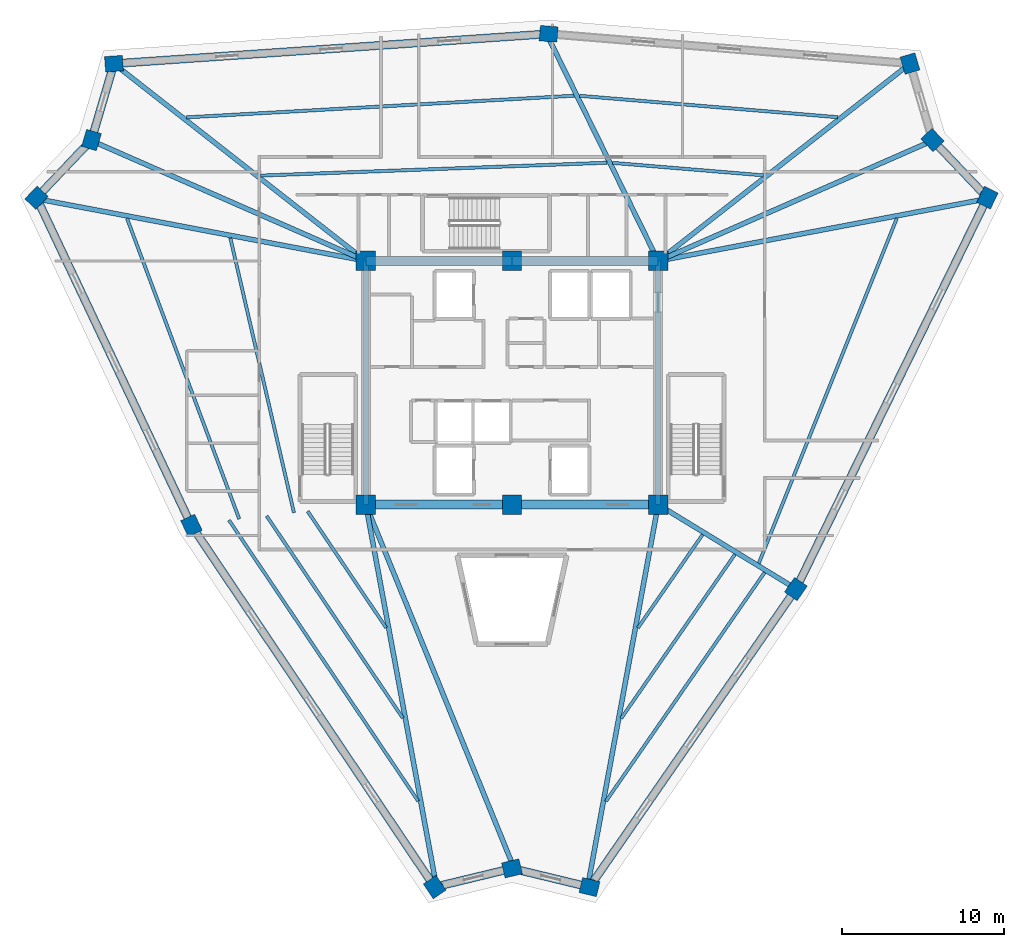
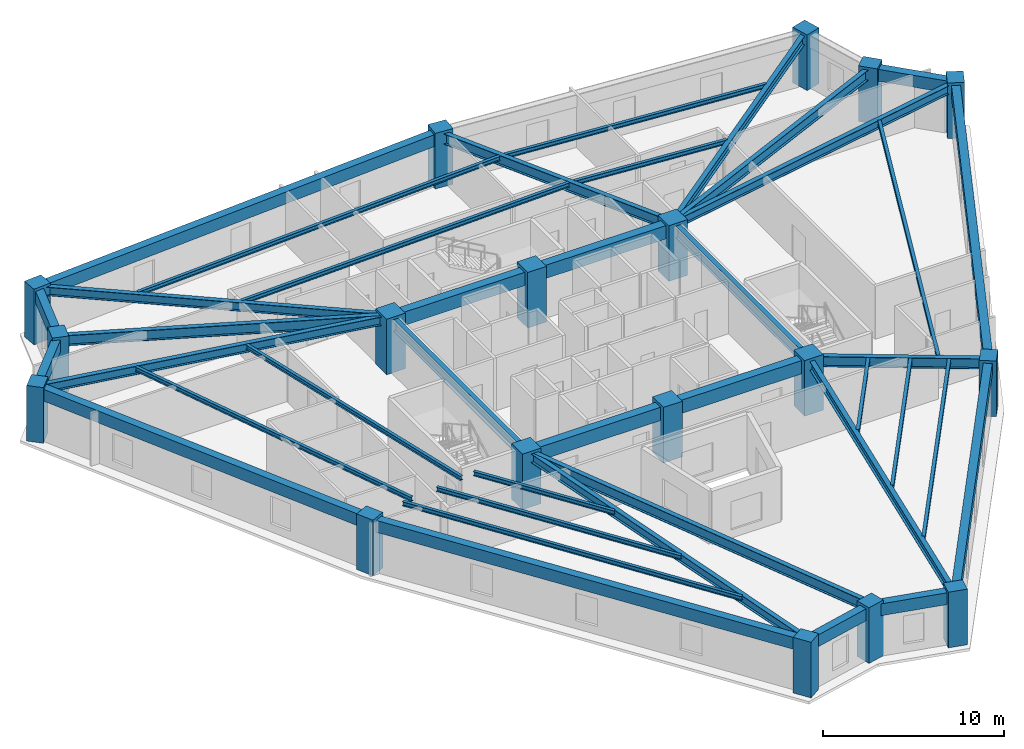
# One storey, part 1 of 8: 40 beams, 18 columns.
"""IFC4 building model written with IfcOpenShell, lengths in metres."""

from ifc_helpers import new_model, si_unit, direction, frame, origin, origin_2d, place, context, subcontext, project, spatial, rectangle, i_section, extrude, source, transform, mapped, material, material_profile, profile_set, type_object, element, save


model = new_model("IFC4")

# Units and contexts
model_context = context("Model", 3, precision=1e-05, world=origin(), true_north=direction((0.0, 1.0)))
body_context = subcontext(model_context, "Body", "Model", "MODEL_VIEW")
ifc_project = project(units=[si_unit("LENGTHUNIT", "METRE"), si_unit("AREAUNIT", "SQUARE_METRE"), si_unit("VOLUMEUNIT", "CUBIC_METRE"), si_unit("PLANEANGLEUNIT", "RADIAN"), si_unit("MASSUNIT", "GRAM", prefix="KILO")], contexts=[model_context])

# Site, building, storey
site_placement = place(None, origin())
site = spatial("IfcSite", under=ifc_project, at=site_placement, CompositionType="ELEMENT")
building_placement = place(site_placement, origin())
building = spatial("IfcBuilding", under=site, at=building_placement, Name="Liaohun Quay Tower", CompositionType="ELEMENT")
storey_placement = place(building_placement, frame((0.0, 0.0, 336.0)))
storey = spatial("IfcBuildingStorey", under=building, at=storey_placement, Name="L87", CompositionType="ELEMENT", Elevation=336.0)

# Columns
ifc_material_1 = material(Name="Concrete C50", Category="concrete")
ifc_material_profile_1 = material_profile(ifc_material_1, rectangle(XDim=1.199951171875, YDim=1.199951171875, at=origin_2d()), Name="RC1200x1200")
ifc_profile_set_1 = profile_set([ifc_material_profile_1], Name="Concrete C50")
column_type_1 = type_object("IfcColumnType", Name="COL-CC-Z4", PredefinedType="COLUMN", material=ifc_profile_set_1)
shared_shape_1 = source(origin(), body_context, "Body", "SweptSolid", [
    extrude(rectangle(XDim=1.199951171875, YDim=1.199951171875, at=origin_2d()), origin(), (0.0, 0.0, 1.0), 3.75),
])
for number, where, z_axis, x_axis, name in (
    (1, (51.0, 46.5, 0.0), (0.0, 0.0, 1.0), (1.0, 0.0, 0.0), "L87 Core Column CC1"),
    (2, (60.0, 46.5, 0.0), (0.0, 0.0, 1.0), (1.0, 0.0, 0.0), "L87 Core Column CC2"),
    (3, (69.0, 46.5, 0.0), (0.0, 0.0, 1.0), (1.0, 0.0, 0.0), "L87 Core Column CC3"),
    (4, (69.0, 61.5, 0.0), (0.0, 0.0, 1.0), (1.0, 0.0, 0.0), "L87 Core Column CC4"),
    (5, (60.0, 61.5, 0.0), (0.0, 0.0, 1.0), (1.0, 0.0, 0.0), "L87 Core Column CC5"),
    (6, (51.0, 61.5, 0.0), (0.0, 0.0, 1.0), (1.0, 0.0, 0.0), "L87 Core Column CC6"),
):
    element("IfcColumn", number, at=place(storey_placement, frame(where, z_axis=z_axis, x_axis=x_axis)), inside=storey, type_object=column_type_1, Name=name, PredefinedType="COLUMN", context=body_context, shape_type="MappedRepresentation", body=[
        mapped(shared_shape_1, transform((0.0, 0.0, 0.0), x_axis=(1.0, 0.0, 0.0), y_axis=(0.0, 1.0, 0.0), z_axis=(0.0, 0.0, 1.0), scale=1.0)),
    ])
ifc_material_profile_2 = material_profile(ifc_material_1, rectangle(XDim=1.10009765625, YDim=0.949951171875, at=origin_2d()), Name="RC1100x950")
ifc_profile_set_2 = profile_set([ifc_material_profile_2], Name="Concrete C50")
column_type_2 = type_object("IfcColumnType", Name="COL-PIER-Z4", PredefinedType="COLUMN", material=ifc_profile_set_2)
shared_shape_2 = source(origin(), body_context, "Body", "SweptSolid", [
    extrude(rectangle(XDim=1.10009765625, YDim=0.949951171875, at=origin_2d()), origin(), (0.0, 0.0, 1.0), 3.75),
])
for number, where, z_axis, x_axis, name in (
    (7, (55.238037109375, 22.9541015625, 0.0), (0.0, 0.0, 1.0), (-0.558179625922, 0.829720136676, 0.0), "L87 Perimeter Pier PC01"),
    (8, (40.264892578125, 45.212890625, 0.0), (0.0, 0.0, 1.0), (-0.427357863387, 0.904082549661, 0.0), "L87 Perimeter Pier PC02"),
    (9, (30.72705078125, 65.39306640625, 0.0), (0.0, 0.0, 1.0), (0.68936671806, 0.724412539946, 0.0), "L87 Perimeter Pier PC03"),
    (10, (34.10888671875, 68.947998046875, 0.0), (0.0, 0.0, 1.0), (0.282676303383, 0.959215360337, 0.0), "L87 Perimeter Pier PC04"),
    (11, (35.493896484375, 73.64697265625, 0.0), (0.0, 0.0, 1.0), (0.997648529354, 0.068537667585, 0.0), "L87 Perimeter Pier PC05"),
    (12, (62.258056640625, 75.485107421875, 0.0), (0.0, 0.0, 1.0), (-0.996637386818, 0.08193850863, 0.0), "L87 Perimeter Pier PC06"),
    (13, (84.5029296875, 73.655029296875, 0.0), (0.0, 0.0, 1.0), (-0.282676303383, 0.959215360337, 0.0), "L87 Perimeter Pier PC07"),
    (14, (85.89111328125, 68.947998046875, 0.0), (0.0, 0.0, 1.0), (-0.68936671806, 0.724412539946, 0.0), "L87 Perimeter Pier PC08"),
    (15, (89.26806640625, 65.39892578125, 0.0), (0.0, 0.0, 1.0), (0.439468903432, 0.898257804261, 0.0), "L87 Perimeter Pier PC09"),
    (16, (77.47705078125, 41.302001953125, 0.0), (0.0, 0.0, 1.0), (0.569279523431, 0.822144041031, 0.0), "L87 Perimeter Pier PC10"),
    (17, (64.77001953125, 22.951904296875, 0.0), (0.0, 0.0, 1.0), (-0.972043021443, 0.234802820391, 0.0), "L87 Perimeter Pier PC11"),
    (18, (60.0, 24.10400390625, 0.0), (0.0, 0.0, 1.0), (0.972043021443, 0.234802820391, 0.0), "L87 Perimeter Pier PC12"),
):
    element("IfcColumn", number, at=place(storey_placement, frame(where, z_axis=z_axis, x_axis=x_axis)), inside=storey, type_object=column_type_2, Name=name, PredefinedType="COLUMN", context=body_context, shape_type="MappedRepresentation", body=[
        mapped(shared_shape_2, transform((0.0, 0.0, 0.0), x_axis=(1.0, 0.0, 0.0), y_axis=(0.0, 1.0, 0.0), z_axis=(0.0, 0.0, 1.0), scale=1.0)),
    ])

# Beams
ifc_material_2 = material(Name="Steel Q355D", Category="steel")
ifc_material_profile_3 = material_profile(ifc_material_2, i_section(OverallWidth=0.300048828125, OverallDepth=0.800048828125, WebThickness=0.013916015625, FlangeThickness=0.02587890625, at=origin_2d()), Name="HN800x300x14x26")
ifc_profile_set_3 = profile_set([ifc_material_profile_3], Name="Steel Q355D")
beam_type_1 = type_object("IfcBeamType", Name="BM-RAD-M1", PredefinedType="BEAM", material=ifc_profile_set_3)
shared_shape_3 = source(origin(), body_context, "Body", "SweptSolid", [
    extrude(i_section(OverallWidth=0.300048828125, OverallDepth=0.800048828125, WebThickness=0.013916015625, FlangeThickness=0.02587890625, at=origin_2d()), origin(), (0.0, 0.0, 1.0), 15.0),
])
for number, where, z_axis, x_axis, name in (
    (19, (69.0, 46.5, 3.169921875), (0.0, 1.0, 0.0), (-1.0, 0.0, 0.0), "L87 Core Coupling/Ring Beam CC3-CC4"),
    (20, (51.0, 61.5, 3.169921875), (0.0, -1.0, 0.0), (1.0, 0.0, 0.0), "L87 Core Coupling/Ring Beam CC6-CC1"),
):
    element("IfcBeam", number, at=place(storey_placement, frame(where, z_axis=z_axis, x_axis=x_axis)), inside=storey, type_object=beam_type_1, Name=name, PredefinedType="BEAM", context=body_context, shape_type="MappedRepresentation", body=[
        mapped(shared_shape_3, transform((0.0, 0.0, 0.0), x_axis=(1.0, 0.0, 0.0), y_axis=(0.0, 1.0, 0.0), z_axis=(0.0, 0.0, 1.0), scale=1.0)),
    ])
ifc_material_3 = material(Name="Concrete C55", Category="concrete")
ifc_material_profile_4 = material_profile(ifc_material_3, rectangle(XDim=0.550048828125, YDim=0.89990234375, at=origin_2d()), Name="RC550x900")
ifc_profile_set_4 = profile_set([ifc_material_profile_4], Name="Concrete C55")
beam_type_2 = type_object("IfcBeamType", Name="BM-CPL-2", PredefinedType="LINTEL", material=ifc_profile_set_4)
shared_shape_4 = source(origin(), body_context, "Body", "SweptSolid", [
    extrude(rectangle(XDim=0.550048828125, YDim=0.89990234375, at=origin_2d()), origin(), (0.0, 0.0, 1.0), 9.0),
])
for number, where, z_axis, x_axis, name in (
    (21, (51.0, 46.5, 3.1201171875), (1.0, 0.0, 0.0), (0.0, 1.0, 0.0), "L87 Core Coupling/Ring Beam CC1-CC2"),
    (22, (60.0, 46.5, 3.1201171875), (1.0, 0.0, 0.0), (0.0, 1.0, 0.0), "L87 Core Coupling/Ring Beam CC2-CC3"),
    (23, (69.0, 61.5, 3.1201171875), (-1.0, 0.0, 0.0), (0.0, -1.0, 0.0), "L87 Core Coupling/Ring Beam CC4-CC5"),
    (24, (60.0, 61.5, 3.1201171875), (-1.0, 0.0, 0.0), (0.0, -1.0, 0.0), "L87 Core Coupling/Ring Beam CC5-CC6"),
):
    element("IfcBeam", number, at=place(storey_placement, frame(where, z_axis=z_axis, x_axis=x_axis)), inside=storey, type_object=beam_type_2, Name=name, PredefinedType="LINTEL", context=body_context, shape_type="MappedRepresentation", body=[
        mapped(shared_shape_4, transform((0.0, 0.0, 0.0), x_axis=(1.0, 0.0, 0.0), y_axis=(0.0, 1.0, 0.0), z_axis=(0.0, 0.0, 1.0), scale=1.0)),
    ])
ifc_material_4 = material(Name="Precast concrete C50", Category="concrete")
ifc_material_profile_5 = material_profile(ifc_material_4, rectangle(XDim=0.5, YDim=0.800048828125, at=origin_2d()), Name="RC500x800")
ifc_profile_set_5 = profile_set([ifc_material_profile_5], Name="Precast concrete C50")
beam_type_3 = type_object("IfcBeamType", Name="BM-SPD-Z4", PredefinedType="SPANDREL", material=ifc_profile_set_5)
shared_shape_5 = source(origin(), body_context, "Body", "SweptSolid", [
    extrude(rectangle(XDim=0.5, YDim=0.800048828125, at=origin_2d()), origin(), (0.0, 0.0, 1.0), 26.826171875),
])
beam_1_placement = place(storey_placement, frame((55.238037109375, 22.9541015625, 3.169921875), z_axis=(-0.558152314182, 0.829738509516, 0.0), x_axis=(-0.829738509516, -0.558152314182, 0.0)))
element("IfcBeam", 25, at=beam_1_placement, inside=storey, type_object=beam_type_3, Name="L87 Precast Spandrel Beam PC01-PC02", PredefinedType="SPANDREL", context=body_context, shape_type="MappedRepresentation", body=[
    mapped(shared_shape_5, transform((0.0, 0.0, 0.0), x_axis=(1.0, 0.0, 0.0), y_axis=(0.0, 1.0, 0.0), z_axis=(0.0, 0.0, 1.0), scale=1.0)),
])
shared_shape_6 = source(origin(), body_context, "Body", "SweptSolid", [
    extrude(rectangle(XDim=0.5, YDim=0.800048828125, at=origin_2d()), origin(), (0.0, 0.0, 1.0), 22.320556640625),
])
beam_2_placement = place(storey_placement, frame((40.264892578125, 45.212890625, 3.169921875), z_axis=(-0.427310858512, 0.904104767269, 0.0), x_axis=(-0.904104767269, -0.427310858512, 0.0)))
element("IfcBeam", 26, at=beam_2_placement, inside=storey, type_object=beam_type_3, Name="L87 Precast Spandrel Beam PC02-PC03", PredefinedType="SPANDREL", context=body_context, shape_type="MappedRepresentation", body=[
    mapped(shared_shape_6, transform((0.0, 0.0, 0.0), x_axis=(1.0, 0.0, 0.0), y_axis=(0.0, 1.0, 0.0), z_axis=(0.0, 0.0, 1.0), scale=1.0)),
])
shared_shape_7 = source(origin(), body_context, "Body", "SweptSolid", [
    extrude(rectangle(XDim=0.5, YDim=0.800048828125, at=origin_2d()), origin(), (0.0, 0.0, 1.0), 4.906494140625),
])
beam_3_placement = place(storey_placement, frame((30.72705078125, 65.39306640625, 3.169921875), z_axis=(0.689247532922, 0.724525940433, 0.0), x_axis=(-0.724525940433, 0.689247532922, 0.0)))
element("IfcBeam", 27, at=beam_3_placement, inside=storey, type_object=beam_type_3, Name="L87 Precast Spandrel Beam PC03-PC04", PredefinedType="SPANDREL", context=body_context, shape_type="MappedRepresentation", body=[
    mapped(shared_shape_7, transform((0.0, 0.0, 0.0), x_axis=(1.0, 0.0, 0.0), y_axis=(0.0, 1.0, 0.0), z_axis=(0.0, 0.0, 1.0), scale=1.0)),
])
shared_shape_8 = source(origin(), body_context, "Body", "SweptSolid", [
    extrude(rectangle(XDim=0.5, YDim=0.800048828125, at=origin_2d()), origin(), (0.0, 0.0, 1.0), 4.89892578125),
])
for number, where, z_axis, x_axis, name in (
    (28, (34.10888671875, 68.947998046875, 3.169921875), (0.282722095729, 0.959201864357, 0.0), (-0.959201864357, 0.282722095729, 0.0), "L87 Precast Spandrel Beam PC04-PC05"),
    (29, (85.89111328125, 68.947998046875, 3.169921875), (0.689321599918, -0.724455472673, 0.0), (0.724455472673, 0.689321599918, 0.0), "L87 Precast Spandrel Beam PC08-PC09"),
    (30, (60.0, 24.10400390625, 3.169921875), (-0.972060645991, -0.234729845815, 0.0), (0.234729845815, -0.972060645991, 0.0), "L87 Precast Spandrel Beam PC12-PC01"),
):
    element("IfcBeam", number, at=place(storey_placement, frame(where, z_axis=z_axis, x_axis=x_axis)), inside=storey, type_object=beam_type_3, Name=name, PredefinedType="SPANDREL", context=body_context, shape_type="MappedRepresentation", body=[
        mapped(shared_shape_8, transform((0.0, 0.0, 0.0), x_axis=(1.0, 0.0, 0.0), y_axis=(0.0, 1.0, 0.0), z_axis=(0.0, 0.0, 1.0), scale=1.0)),
    ])
shared_shape_9 = source(origin(), body_context, "Body", "SweptSolid", [
    extrude(rectangle(XDim=0.5, YDim=0.800048828125, at=origin_2d()), origin(), (0.0, 0.0, 1.0), 26.8271484375),
])
for number, where, z_axis, x_axis, name in (
    (31, (35.493896484375, 73.64697265625, 3.169921875), (0.997649910436, 0.068517561305, 0.0), (-0.068517561305, 0.997649910436, 0.0), "L87 Precast Spandrel Beam PC05-PC06"),
    (32, (89.26806640625, 65.39892578125, 3.169921875), (-0.439519901632, -0.898232851809, 0.0), (0.898232851809, -0.439519901632, 0.0), "L87 Precast Spandrel Beam PC09-PC10"),
):
    element("IfcBeam", number, at=place(storey_placement, frame(where, z_axis=z_axis, x_axis=x_axis)), inside=storey, type_object=beam_type_3, Name=name, PredefinedType="SPANDREL", context=body_context, shape_type="MappedRepresentation", body=[
        mapped(shared_shape_9, transform((0.0, 0.0, 0.0), x_axis=(1.0, 0.0, 0.0), y_axis=(0.0, 1.0, 0.0), z_axis=(0.0, 0.0, 1.0), scale=1.0)),
    ])
shared_shape_10 = source(origin(), body_context, "Body", "SweptSolid", [
    extrude(rectangle(XDim=0.5, YDim=0.800048828125, at=origin_2d()), origin(), (0.0, 0.0, 1.0), 22.3203125),
])
beam_4_placement = place(storey_placement, frame((77.47705078125, 41.302001953125, 3.169921875), z_axis=(-0.569304392452, -0.822126820348, 0.0), x_axis=(0.822126820348, -0.569304392452, 0.0)))
element("IfcBeam", 33, at=beam_4_placement, inside=storey, type_object=beam_type_3, Name="L87 Precast Spandrel Beam PC10-PC11", PredefinedType="SPANDREL", context=body_context, shape_type="MappedRepresentation", body=[
    mapped(shared_shape_10, transform((0.0, 0.0, 0.0), x_axis=(1.0, 0.0, 0.0), y_axis=(0.0, 1.0, 0.0), z_axis=(0.0, 0.0, 1.0), scale=1.0)),
])
shared_shape_11 = source(origin(), body_context, "Body", "SweptSolid", [
    extrude(rectangle(XDim=0.5, YDim=0.800048828125, at=origin_2d()), origin(), (0.0, 0.0, 1.0), 4.9072265625),
])
beam_5_placement = place(storey_placement, frame((64.77001953125, 22.951904296875, 3.169921875), z_axis=(-0.972048937831, 0.234778326217, 0.0), x_axis=(-0.234778326217, -0.972048937831, 0.0)))
element("IfcBeam", 34, at=beam_5_placement, inside=storey, type_object=beam_type_3, Name="L87 Precast Spandrel Beam PC11-PC12", PredefinedType="SPANDREL", context=body_context, shape_type="MappedRepresentation", body=[
    mapped(shared_shape_11, transform((0.0, 0.0, 0.0), x_axis=(1.0, 0.0, 0.0), y_axis=(0.0, 1.0, 0.0), z_axis=(0.0, 0.0, 1.0), scale=1.0)),
])
ifc_material_profile_6 = material_profile(ifc_material_2, i_section(OverallWidth=0.300048828125, OverallDepth=0.587890625, WebThickness=0.011962890625, FlangeThickness=0.02001953125, at=origin_2d()), Name="HM588x300x12x20")
ifc_profile_set_6 = profile_set([ifc_material_profile_6], Name="Steel Q355D")
beam_type_4 = type_object("IfcBeamType", Name="BM-RAD-U2", PredefinedType="BEAM", material=ifc_profile_set_6)
shared_shape_12 = source(origin(), body_context, "Body", "SweptSolid", [
    extrude(i_section(OverallWidth=0.300048828125, OverallDepth=0.587890625, WebThickness=0.011962890625, FlangeThickness=0.02001953125, at=origin_2d()), origin(), (0.0, 0.0, 1.0), 23.599853515625),
])
beam_6_placement = place(storey_placement, frame((51.0, 46.5, 3.27587890625), z_axis=(0.181906997941, -0.98331573978, 0.0), x_axis=(0.98331573978, 0.181906997941, 0.0)))
element("IfcBeam", 35, at=beam_6_placement, inside=storey, type_object=beam_type_4, Name="L87 Radial Primary Girder CC1-PC01", PredefinedType="BEAM", context=body_context, shape_type="MappedRepresentation", body=[
    mapped(shared_shape_12, transform((0.0, 0.0, 0.0), x_axis=(1.0, 0.0, 0.0), y_axis=(0.0, 1.0, 0.0), z_axis=(0.0, 0.0, 1.0), scale=1.0)),
])
shared_shape_13 = source(origin(), body_context, "Body", "SweptSolid", [
    extrude(i_section(OverallWidth=0.300048828125, OverallDepth=0.587890625, WebThickness=0.011962890625, FlangeThickness=0.02001953125, at=origin_2d()), origin(), (0.0, 0.0, 1.0), 20.304931640625),
])
beam_7_placement = place(storey_placement, frame((51.0, 61.5, 3.27587890625), z_axis=(-0.982612184872, 0.185669852536, 0.0), x_axis=(-0.185669852536, -0.982612184872, 0.0)))
element("IfcBeam", 36, at=beam_7_placement, inside=storey, type_object=beam_type_4, Name="L87 Radial Primary Girder CC6-PC03", PredefinedType="BEAM", context=body_context, shape_type="MappedRepresentation", body=[
    mapped(shared_shape_13, transform((0.0, 0.0, 0.0), x_axis=(1.0, 0.0, 0.0), y_axis=(0.0, 1.0, 0.0), z_axis=(0.0, 0.0, 1.0), scale=1.0)),
])
ifc_material_profile_7 = material_profile(ifc_material_2, i_section(OverallWidth=0.300048828125, OverallDepth=0.699951171875, WebThickness=0.012939453125, FlangeThickness=0.02392578125, at=origin_2d()), Name="HN700x300x13x24")
ifc_profile_set_7 = profile_set([ifc_material_profile_7], Name="Steel Q355D")
beam_type_5 = type_object("IfcBeamType", Name="BM-RAD-U1", PredefinedType="BEAM", material=ifc_profile_set_7)
shared_shape_14 = source(origin(), body_context, "Body", "SweptSolid", [
    extrude(i_section(OverallWidth=0.300048828125, OverallDepth=0.699951171875, WebThickness=0.012939453125, FlangeThickness=0.02392578125, at=origin_2d()), origin(), (0.0, 0.0, 1.0), 18.134033203125),
])
for number, where, z_axis, x_axis, name in (
    (37, (51.0, 61.5, 3.219970703125), (-0.915784299111, 0.401670409044, 0.0), (-0.401670409044, -0.915784299111, 0.0), "L87 Radial Primary Girder CC6-PC04"),
    (38, (69.0, 61.5, 3.219970703125), (0.915784299111, 0.401670409044, 0.0), (-0.401670409044, 0.915784299111, 0.0), "L87 Radial Primary Girder CC4-PC08"),
):
    element("IfcBeam", number, at=place(storey_placement, frame(where, z_axis=z_axis, x_axis=x_axis)), inside=storey, type_object=beam_type_5, Name=name, PredefinedType="BEAM", context=body_context, shape_type="MappedRepresentation", body=[
        mapped(shared_shape_14, transform((0.0, 0.0, 0.0), x_axis=(1.0, 0.0, 0.0), y_axis=(0.0, 1.0, 0.0), z_axis=(0.0, 0.0, 1.0), scale=1.0)),
    ])
shared_shape_15 = source(origin(), body_context, "Body", "SweptSolid", [
    extrude(i_section(OverallWidth=0.300048828125, OverallDepth=0.587890625, WebThickness=0.011962890625, FlangeThickness=0.02001953125, at=origin_2d()), origin(), (0.0, 0.0, 1.0), 19.3525390625),
])
beam_8_placement = place(storey_placement, frame((51.0, 61.5, 3.27587890625), z_axis=(-0.787391848215, 0.616452818442, 0.0), x_axis=(-0.616452818442, -0.787391848215, 0.0)))
element("IfcBeam", 39, at=beam_8_placement, inside=storey, type_object=beam_type_4, Name="L87 Radial Primary Girder CC6-PC05", PredefinedType="BEAM", context=body_context, shape_type="MappedRepresentation", body=[
    mapped(shared_shape_15, transform((0.0, 0.0, 0.0), x_axis=(1.0, 0.0, 0.0), y_axis=(0.0, 1.0, 0.0), z_axis=(0.0, 0.0, 1.0), scale=1.0)),
])
shared_shape_16 = source(origin(), body_context, "Body", "SweptSolid", [
    extrude(i_section(OverallWidth=0.300048828125, OverallDepth=0.699951171875, WebThickness=0.012939453125, FlangeThickness=0.02392578125, at=origin_2d()), origin(), (0.0, 0.0, 1.0), 15.336181640625),
])
beam_9_placement = place(storey_placement, frame((69.0, 61.5, 3.219970703125), z_axis=(-0.441185999181, 0.897415686361, 0.0), x_axis=(-0.897415686361, -0.441185999181, 0.0)))
element("IfcBeam", 40, at=beam_9_placement, inside=storey, type_object=beam_type_5, Name="L87 Radial Primary Girder CC4-PC06", PredefinedType="BEAM", context=body_context, shape_type="MappedRepresentation", body=[
    mapped(shared_shape_16, transform((0.0, 0.0, 0.0), x_axis=(1.0, 0.0, 0.0), y_axis=(0.0, 1.0, 0.0), z_axis=(0.0, 0.0, 1.0), scale=1.0)),
])
shared_shape_17 = source(origin(), body_context, "Body", "SweptSolid", [
    extrude(i_section(OverallWidth=0.300048828125, OverallDepth=0.587890625, WebThickness=0.011962890625, FlangeThickness=0.02001953125, at=origin_2d()), origin(), (0.0, 0.0, 1.0), 19.355224609375),
])
beam_10_placement = place(storey_placement, frame((69.0, 61.5, 3.27587890625), z_axis=(0.787132213405, 0.616784304778, 0.0), x_axis=(-0.616784304778, 0.787132213405, 0.0)))
element("IfcBeam", 41, at=beam_10_placement, inside=storey, type_object=beam_type_4, Name="L87 Radial Primary Girder CC4-PC07", PredefinedType="BEAM", context=body_context, shape_type="MappedRepresentation", body=[
    mapped(shared_shape_17, transform((0.0, 0.0, 0.0), x_axis=(1.0, 0.0, 0.0), y_axis=(0.0, 1.0, 0.0), z_axis=(0.0, 0.0, 1.0), scale=1.0)),
])
shared_shape_18 = source(origin(), body_context, "Body", "SweptSolid", [
    extrude(i_section(OverallWidth=0.300048828125, OverallDepth=0.587890625, WebThickness=0.011962890625, FlangeThickness=0.02001953125, at=origin_2d()), origin(), (0.0, 0.0, 1.0), 20.30029296875),
])
beam_11_placement = place(storey_placement, frame((69.0, 61.5, 3.27587890625), z_axis=(0.982549519823, 0.186001185738, 0.0), x_axis=(-0.186001185738, 0.982549519823, 0.0)))
element("IfcBeam", 42, at=beam_11_placement, inside=storey, type_object=beam_type_4, Name="L87 Radial Primary Girder CC4-PC09", PredefinedType="BEAM", context=body_context, shape_type="MappedRepresentation", body=[
    mapped(shared_shape_18, transform((0.0, 0.0, 0.0), x_axis=(1.0, 0.0, 0.0), y_axis=(0.0, 1.0, 0.0), z_axis=(0.0, 0.0, 1.0), scale=1.0)),
])
shared_shape_19 = source(origin(), body_context, "Body", "SweptSolid", [
    extrude(i_section(OverallWidth=0.300048828125, OverallDepth=0.699951171875, WebThickness=0.012939453125, FlangeThickness=0.02392578125, at=origin_2d()), origin(), (0.0, 0.0, 1.0), 9.721435546875),
])
beam_12_placement = place(storey_placement, frame((69.0, 46.5, 3.219970703125), z_axis=(0.853489729957, -0.521109662987, 0.0), x_axis=(0.521109662987, 0.853489729957, 0.0)))
element("IfcBeam", 43, at=beam_12_placement, inside=storey, type_object=beam_type_5, Name="L87 Radial Primary Girder CC3-PC10", PredefinedType="BEAM", context=body_context, shape_type="MappedRepresentation", body=[
    mapped(shared_shape_19, transform((0.0, 0.0, 0.0), x_axis=(1.0, 0.0, 0.0), y_axis=(0.0, 1.0, 0.0), z_axis=(0.0, 0.0, 1.0), scale=1.0)),
])
shared_shape_20 = source(origin(), body_context, "Body", "SweptSolid", [
    extrude(i_section(OverallWidth=0.300048828125, OverallDepth=0.587890625, WebThickness=0.011962890625, FlangeThickness=0.02001953125, at=origin_2d()), origin(), (0.0, 0.0, 1.0), 23.600341796875),
])
beam_13_placement = place(storey_placement, frame((69.0, 46.5, 3.27587890625), z_axis=(-0.181562100476, -0.98337948101, 0.0), x_axis=(0.98337948101, -0.181562100476, 0.0)))
element("IfcBeam", 44, at=beam_13_placement, inside=storey, type_object=beam_type_4, Name="L87 Radial Primary Girder CC3-PC11", PredefinedType="BEAM", context=body_context, shape_type="MappedRepresentation", body=[
    mapped(shared_shape_20, transform((0.0, 0.0, 0.0), x_axis=(1.0, 0.0, 0.0), y_axis=(0.0, 1.0, 0.0), z_axis=(0.0, 0.0, 1.0), scale=1.0)),
])
shared_shape_21 = source(origin(), body_context, "Body", "SweptSolid", [
    extrude(i_section(OverallWidth=0.300048828125, OverallDepth=0.699951171875, WebThickness=0.012939453125, FlangeThickness=0.02392578125, at=origin_2d()), origin(), (0.0, 0.0, 1.0), 23.833740234375),
])
beam_14_placement = place(storey_placement, frame((51.0, 46.5, 3.219970703125), z_axis=(0.377616715366, -0.92596199505, 0.0), x_axis=(0.92596199505, 0.377616715366, 0.0)))
element("IfcBeam", 45, at=beam_14_placement, inside=storey, type_object=beam_type_5, Name="L87 Radial Primary Girder CC1-PC12", PredefinedType="BEAM", context=body_context, shape_type="MappedRepresentation", body=[
    mapped(shared_shape_21, transform((0.0, 0.0, 0.0), x_axis=(1.0, 0.0, 0.0), y_axis=(0.0, 1.0, 0.0), z_axis=(0.0, 0.0, 1.0), scale=1.0)),
])
ifc_material_profile_8 = material_profile(ifc_material_2, i_section(OverallWidth=0.199951171875, OverallDepth=0.2939453125, WebThickness=0.008056640625, FlangeThickness=0.011962890625, at=origin_2d()), Name="HM294x200x8x12")
ifc_profile_set_8 = profile_set([ifc_material_profile_8], Name="Steel Q355D")
beam_type_6 = type_object("IfcBeamType", Name="BM-SEC-J4", PredefinedType="JOIST", material=ifc_profile_set_8)
shared_shape_22 = source(origin(), body_context, "Body", "SweptSolid", [
    extrude(i_section(OverallWidth=0.199951171875, OverallDepth=0.2939453125, WebThickness=0.008056640625, FlangeThickness=0.011962890625, at=origin_2d()), origin(), (0.0, 0.0, 1.0), 8.64599609375),
])
beam_15_placement = place(storey_placement, frame((52.2490234375, 38.922119140625, 3.423095703125), z_axis=(-0.558655882826, 0.8293995446, 0.0), x_axis=(-0.8293995446, -0.558655882826, 0.0)))
element("IfcBeam", 46, at=beam_15_placement, inside=storey, type_object=beam_type_6, Name="L87 Wing Secondary Floor Joist SJ-01", PredefinedType="JOIST", context=body_context, shape_type="MappedRepresentation", body=[
    mapped(shared_shape_22, transform((0.0, 0.0, 0.0), x_axis=(1.0, 0.0, 0.0), y_axis=(0.0, 1.0, 0.0), z_axis=(0.0, 0.0, 1.0), scale=1.0)),
])
shared_shape_23 = source(origin(), body_context, "Body", "SweptSolid", [
    extrude(i_section(OverallWidth=0.199951171875, OverallDepth=0.2939453125, WebThickness=0.008056640625, FlangeThickness=0.011962890625, at=origin_2d()), origin(), (0.0, 0.0, 1.0), 15.014404296875),
])
beam_16_placement = place(storey_placement, frame((53.280029296875, 33.35302734375, 3.423095703125), z_axis=(-0.558660192246, 0.829396641903, 0.0), x_axis=(-0.829396641903, -0.558660192246, 0.0)))
element("IfcBeam", 47, at=beam_16_placement, inside=storey, type_object=beam_type_6, Name="L87 Wing Secondary Floor Joist SJ-02", PredefinedType="JOIST", context=body_context, shape_type="MappedRepresentation", body=[
    mapped(shared_shape_23, transform((0.0, 0.0, 0.0), x_axis=(1.0, 0.0, 0.0), y_axis=(0.0, 1.0, 0.0), z_axis=(0.0, 0.0, 1.0), scale=1.0)),
])
shared_shape_24 = source(origin(), body_context, "Body", "SweptSolid", [
    extrude(i_section(OverallWidth=0.199951171875, OverallDepth=0.2939453125, WebThickness=0.008056640625, FlangeThickness=0.011962890625, at=origin_2d()), origin(), (0.0, 0.0, 1.0), 20.852294921875),
])
beam_17_placement = place(storey_placement, frame((54.22412109375, 28.2470703125, 3.423095703125), z_axis=(-0.558652159072, 0.829402052785, 0.0), x_axis=(-0.829402052785, -0.558652159072, 0.0)))
element("IfcBeam", 48, at=beam_17_placement, inside=storey, type_object=beam_type_6, Name="L87 Wing Secondary Floor Joist SJ-03", PredefinedType="JOIST", context=body_context, shape_type="MappedRepresentation", body=[
    mapped(shared_shape_24, transform((0.0, 0.0, 0.0), x_axis=(1.0, 0.0, 0.0), y_axis=(0.0, 1.0, 0.0), z_axis=(0.0, 0.0, 1.0), scale=1.0)),
])
shared_shape_25 = source(origin(), body_context, "Body", "SweptSolid", [
    extrude(i_section(OverallWidth=0.199951171875, OverallDepth=0.2939453125, WebThickness=0.008056640625, FlangeThickness=0.011962890625, at=origin_2d()), origin(), (0.0, 0.0, 1.0), 17.375),
])
beam_18_placement = place(storey_placement, frame((46.576904296875, 45.9970703125, 3.423095703125), z_axis=(-0.225607553343, 0.974218267061, 0.0), x_axis=(-0.974218267061, -0.225607553343, 0.0)))
element("IfcBeam", 49, at=beam_18_placement, inside=storey, type_object=beam_type_6, Name="L87 Wing Secondary Floor Joist SJ-04", PredefinedType="JOIST", context=body_context, shape_type="MappedRepresentation", body=[
    mapped(shared_shape_25, transform((0.0, 0.0, 0.0), x_axis=(1.0, 0.0, 0.0), y_axis=(0.0, 1.0, 0.0), z_axis=(0.0, 0.0, 1.0), scale=1.0)),
])
shared_shape_26 = source(origin(), body_context, "Body", "SweptSolid", [
    extrude(i_section(OverallWidth=0.199951171875, OverallDepth=0.2939453125, WebThickness=0.008056640625, FlangeThickness=0.011962890625, at=origin_2d()), origin(), (0.0, 0.0, 1.0), 19.759521484375),
])
beam_19_placement = place(storey_placement, frame((43.20703125, 45.614013671875, 3.423095703125), z_axis=(-0.349699944184, 0.936861755564, 0.0), x_axis=(-0.936861755564, -0.349699944184, 0.0)))
element("IfcBeam", 50, at=beam_19_placement, inside=storey, type_object=beam_type_6, Name="L87 Wing Secondary Floor Joist SJ-05", PredefinedType="JOIST", context=body_context, shape_type="MappedRepresentation", body=[
    mapped(shared_shape_26, transform((0.0, 0.0, 0.0), x_axis=(1.0, 0.0, 0.0), y_axis=(0.0, 1.0, 0.0), z_axis=(0.0, 0.0, 1.0), scale=1.0)),
])
shared_shape_27 = source(origin(), body_context, "Body", "SweptSolid", [
    extrude(i_section(OverallWidth=0.199951171875, OverallDepth=0.2939453125, WebThickness=0.008056640625, FlangeThickness=0.011962890625, at=origin_2d()), origin(), (0.0, 0.0, 1.0), 21.345458984375),
])
beam_20_placement = place(storey_placement, frame((44.528076171875, 66.758056640625, 3.423095703125), z_axis=(0.999311429617, 0.037103458558, 0.0), x_axis=(-0.037103458558, 0.999311429617, 0.0)))
element("IfcBeam", 51, at=beam_20_placement, inside=storey, type_object=beam_type_6, Name="L87 Wing Secondary Floor Joist SJ-06", PredefinedType="JOIST", context=body_context, shape_type="MappedRepresentation", body=[
    mapped(shared_shape_27, transform((0.0, 0.0, 0.0), x_axis=(1.0, 0.0, 0.0), y_axis=(0.0, 1.0, 0.0), z_axis=(0.0, 0.0, 1.0), scale=1.0)),
])
shared_shape_28 = source(origin(), body_context, "Body", "SweptSolid", [
    extrude(i_section(OverallWidth=0.199951171875, OverallDepth=0.2939453125, WebThickness=0.008056640625, FlangeThickness=0.011962890625, at=origin_2d()), origin(), (0.0, 0.0, 1.0), 23.91650390625),
])
beam_21_placement = place(storey_placement, frame((39.950927734375, 70.341064453125, 3.423095703125), z_axis=(0.998440975857, 0.055817718778, 0.0), x_axis=(-0.055817718778, 0.998440975857, 0.0)))
element("IfcBeam", 52, at=beam_21_placement, inside=storey, type_object=beam_type_6, Name="L87 Wing Secondary Floor Joist SJ-07", PredefinedType="JOIST", context=body_context, shape_type="MappedRepresentation", body=[
    mapped(shared_shape_28, transform((0.0, 0.0, 0.0), x_axis=(1.0, 0.0, 0.0), y_axis=(0.0, 1.0, 0.0), z_axis=(0.0, 0.0, 1.0), scale=1.0)),
])
shared_shape_29 = source(origin(), body_context, "Body", "SweptSolid", [
    extrude(i_section(OverallWidth=0.199951171875, OverallDepth=0.2939453125, WebThickness=0.008056640625, FlangeThickness=0.011962890625, at=origin_2d()), origin(), (0.0, 0.0, 1.0), 9.31787109375),
])
beam_22_placement = place(storey_placement, frame((66.197021484375, 67.541015625, 3.423095703125), z_axis=(0.996579466831, -0.082639979976, 0.0), x_axis=(0.082639979976, 0.996579466831, 0.0)))
element("IfcBeam", 53, at=beam_22_placement, inside=storey, type_object=beam_type_6, Name="L87 Wing Secondary Floor Joist SJ-08", PredefinedType="JOIST", context=body_context, shape_type="MappedRepresentation", body=[
    mapped(shared_shape_29, transform((0.0, 0.0, 0.0), x_axis=(1.0, 0.0, 0.0), y_axis=(0.0, 1.0, 0.0), z_axis=(0.0, 0.0, 1.0), scale=1.0)),
])
shared_shape_30 = source(origin(), body_context, "Body", "SweptSolid", [
    extrude(i_section(OverallWidth=0.199951171875, OverallDepth=0.2939453125, WebThickness=0.008056640625, FlangeThickness=0.011962890625, at=origin_2d()), origin(), (0.0, 0.0, 1.0), 15.941650390625),
])
beam_23_placement = place(storey_placement, frame((64.1669921875, 71.669921875, 3.423095703125), z_axis=(0.996577055994, -0.082669047812, 0.0), x_axis=(0.082669047812, 0.996577055994, 0.0)))
element("IfcBeam", 54, at=beam_23_placement, inside=storey, type_object=beam_type_6, Name="L87 Wing Secondary Floor Joist SJ-09", PredefinedType="JOIST", context=body_context, shape_type="MappedRepresentation", body=[
    mapped(shared_shape_30, transform((0.0, 0.0, 0.0), x_axis=(1.0, 0.0, 0.0), y_axis=(0.0, 1.0, 0.0), z_axis=(0.0, 0.0, 1.0), scale=1.0)),
])
shared_shape_31 = source(origin(), body_context, "Body", "SweptSolid", [
    extrude(i_section(OverallWidth=0.199951171875, OverallDepth=0.2939453125, WebThickness=0.008056640625, FlangeThickness=0.011962890625, at=origin_2d()), origin(), (0.0, 0.0, 1.0), 22.8740234375),
])
beam_24_placement = place(storey_placement, frame((83.694091796875, 64.12890625, 3.423095703125), z_axis=(-0.371515808082, -0.928426628413, 0.0), x_axis=(0.928426628413, -0.371515808082, 0.0)))
element("IfcBeam", 55, at=beam_24_placement, inside=storey, type_object=beam_type_6, Name="L87 Wing Secondary Floor Joist SJ-11", PredefinedType="JOIST", context=body_context, shape_type="MappedRepresentation", body=[
    mapped(shared_shape_31, transform((0.0, 0.0, 0.0), x_axis=(1.0, 0.0, 0.0), y_axis=(0.0, 1.0, 0.0), z_axis=(0.0, 0.0, 1.0), scale=1.0)),
])
shared_shape_32 = source(origin(), body_context, "Body", "SweptSolid", [
    extrude(i_section(OverallWidth=0.199951171875, OverallDepth=0.2939453125, WebThickness=0.008056640625, FlangeThickness=0.011962890625, at=origin_2d()), origin(), (0.0, 0.0, 1.0), 6.991455078125),
])
beam_25_placement = place(storey_placement, frame((71.735107421875, 44.654052734375, 3.423095703125), z_axis=(-0.569861689004, -0.821740625384, 0.0), x_axis=(0.821740625384, -0.569861689004, 0.0)))
element("IfcBeam", 56, at=beam_25_placement, inside=storey, type_object=beam_type_6, Name="L87 Wing Secondary Floor Joist SJ-12", PredefinedType="JOIST", context=body_context, shape_type="MappedRepresentation", body=[
    mapped(shared_shape_32, transform((0.0, 0.0, 0.0), x_axis=(1.0, 0.0, 0.0), y_axis=(0.0, 1.0, 0.0), z_axis=(0.0, 0.0, 1.0), scale=1.0)),
])
shared_shape_33 = source(origin(), body_context, "Body", "SweptSolid", [
    extrude(i_section(OverallWidth=0.199951171875, OverallDepth=0.2939453125, WebThickness=0.008056640625, FlangeThickness=0.011962890625, at=origin_2d()), origin(), (0.0, 0.0, 1.0), 12.2900390625),
])
beam_26_placement = place(storey_placement, frame((73.72705078125, 43.43798828125, 3.423095703125), z_axis=(-0.569903934807, -0.821711327104, 0.0), x_axis=(0.821711327104, -0.569903934807, 0.0)))
element("IfcBeam", 57, at=beam_26_placement, inside=storey, type_object=beam_type_6, Name="L87 Wing Secondary Floor Joist SJ-13", PredefinedType="JOIST", context=body_context, shape_type="MappedRepresentation", body=[
    mapped(shared_shape_33, transform((0.0, 0.0, 0.0), x_axis=(1.0, 0.0, 0.0), y_axis=(0.0, 1.0, 0.0), z_axis=(0.0, 0.0, 1.0), scale=1.0)),
])
shared_shape_34 = source(origin(), body_context, "Body", "SweptSolid", [
    extrude(i_section(OverallWidth=0.199951171875, OverallDepth=0.2939453125, WebThickness=0.008056640625, FlangeThickness=0.011962890625, at=origin_2d()), origin(), (0.0, 0.0, 1.0), 17.14794921875),
])
beam_27_placement = place(storey_placement, frame((75.552001953125, 42.323974609375, 3.423095703125), z_axis=(-0.569865001895, -0.821738327946, 0.0), x_axis=(0.821738327946, -0.569865001895, 0.0)))
element("IfcBeam", 58, at=beam_27_placement, inside=storey, type_object=beam_type_6, Name="L87 Wing Secondary Floor Joist SJ-14", PredefinedType="JOIST", context=body_context, shape_type="MappedRepresentation", body=[
    mapped(shared_shape_34, transform((0.0, 0.0, 0.0), x_axis=(1.0, 0.0, 0.0), y_axis=(0.0, 1.0, 0.0), z_axis=(0.0, 0.0, 1.0), scale=1.0)),
])

save(model, "model.ifc")
